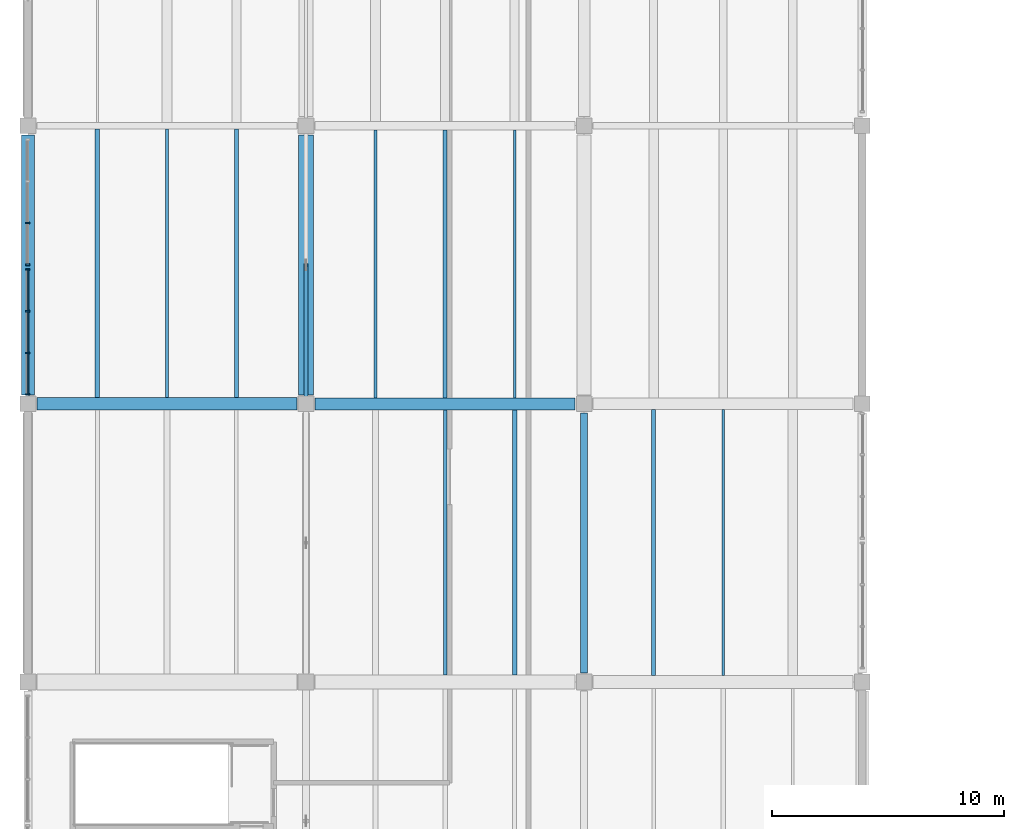
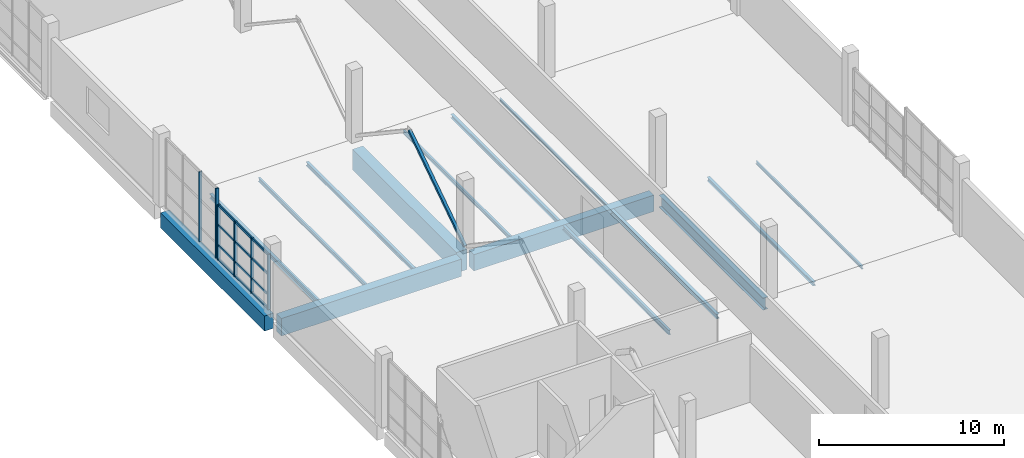
# One storey, part 9 of 49: 15 beams, 11 members, 2 elements without a shape of their own.
"""IFC4 building model written with IfcOpenShell, lengths in metres."""

from ifc_helpers import new_model, si_unit, direction, frame, origin, origin_2d, place, context, subcontext, project, spatial, rectangle, hollow_rectangle, i_section, extrude, material, material_profile, profile_set, type_object, element, aggregate, save


model = new_model("IFC4")

# Units and contexts
model_context = context("Model", 3, precision=1e-05, world=origin(), true_north=direction((0.0, 1.0)))
body_context = subcontext(model_context, "Body", "Model", "MODEL_VIEW")
ifc_project = project(units=[si_unit("LENGTHUNIT", "METRE"), si_unit("AREAUNIT", "SQUARE_METRE"), si_unit("VOLUMEUNIT", "CUBIC_METRE"), si_unit("PLANEANGLEUNIT", "RADIAN"), si_unit("MASSUNIT", "GRAM", prefix="KILO")], contexts=[model_context])

# Site, building, storey
site_placement = place(None, origin())
site = spatial("IfcSite", under=ifc_project, at=site_placement, CompositionType="ELEMENT")
building_placement = place(site_placement, origin())
building = spatial("IfcBuilding", under=site, at=building_placement, Name="Kamomehara Wholesale Market", CompositionType="ELEMENT")
storey_placement = place(building_placement, frame((0.0, 0.0, 11.39990234375)))
storey = spatial("IfcBuildingStorey", under=building, at=storey_placement, Name="L02", CompositionType="ELEMENT", Elevation=11.39990234375)

# Beams
ifc_material_1 = material(Name="Precast concrete Fc45 (C40/50)", Category="concrete")
ifc_material_profile_1 = material_profile(ifc_material_1, rectangle(XDim=0.52001953125, YDim=1.080078125, at=origin_2d()), Name="PC-GRD-520x1080")
ifc_profile_set_1 = profile_set([ifc_material_profile_1], Name="Precast concrete Fc45 (C40/50)")
beam_type_1 = type_object("IfcBeamType", Name="BM-PG1080", PredefinedType="T_BEAM", material=ifc_profile_set_1)
beam_1_placement = place(storey_placement, frame((12.389892578125, 84.0, -0.8818359375), z_axis=(1.0, 0.0, 0.0), x_axis=(0.0, 1.0, 0.0)))
element("IfcBeam", 1, at=beam_1_placement, inside=storey, type_object=beam_type_1, Name="Beam PG-15 L02", PredefinedType="T_BEAM", context=body_context, shape_type="SweptSolid", body=[
    extrude(rectangle(XDim=0.52001953125, YDim=1.080078125, at=origin_2d()), origin(), (0.0, 0.0, 1.0), 11.22021484375),
])
ifc_material_2 = material(Name="Precast concrete Fc45 (C40/50)", Category="concrete")
ifc_material_profile_2 = material_profile(ifc_material_2, rectangle(XDim=0.550048828125, YDim=1.14990234375, at=origin_2d()), Name="PC-GRD-550x1150")
ifc_profile_set_2 = profile_set([ifc_material_profile_2], Name="Precast concrete Fc45 (C40/50)")
beam_type_2 = type_object("IfcBeamType", Name="BM-PG1150", PredefinedType="T_BEAM", material=ifc_profile_set_2)
beam_2_placement = place(storey_placement, frame((0.389892578125, 84.0, -0.9169921875), z_axis=(1.0, 0.0, 0.0), x_axis=(0.0, 1.0, 0.0)))
element("IfcBeam", 2, at=beam_2_placement, inside=storey, type_object=beam_type_2, Name="Beam PG-06 L02", PredefinedType="T_BEAM", context=body_context, shape_type="SweptSolid", body=[
    extrude(rectangle(XDim=0.550048828125, YDim=1.14990234375, at=origin_2d()), origin(), (0.0, 0.0, 1.0), 11.22021484375),
])
ifc_material_3 = material(Name="Precast concrete Fc45 (C40/50)", Category="concrete")
ifc_material_profile_3 = material_profile(ifc_material_3, rectangle(XDim=0.64990234375, YDim=1.35009765625, at=origin_2d()), Name="PC-GRD-650x1350")
ifc_profile_set_3 = profile_set([ifc_material_profile_3], Name="Precast concrete Fc45 (C40/50)")
beam_type_3 = type_object("IfcBeamType", Name="BM-PG1350", PredefinedType="T_BEAM", material=ifc_profile_set_3)
beam_3_placement = place(storey_placement, frame((12.0, 84.389892578125, -1.016845703125), z_axis=(0.0, 1.0, 0.0), x_axis=(-1.0, 0.0, 0.0)))
element("IfcBeam", 3, at=beam_3_placement, inside=storey, type_object=beam_type_3, Name="Beam PG-03 L02", PredefinedType="T_BEAM", context=body_context, shape_type="SweptSolid", body=[
    extrude(rectangle(XDim=0.64990234375, YDim=1.35009765625, at=origin_2d()), origin(), (0.0, 0.0, 1.0), 11.22021484375),
])
ifc_material_4 = material(Name="Concrete Fc36 (C35/45)", Category="concrete")
ifc_material_profile_4 = material_profile(ifc_material_4, rectangle(XDim=0.550048828125, YDim=1.0, at=origin_2d()), Name="RC-SEB-550x1000")
ifc_profile_set_4 = profile_set([ifc_material_profile_4], Name="Concrete Fc36 (C35/45)")
beam_type_4 = type_object("IfcBeamType", Name="BM-SEB1000-EXT", PredefinedType="SPANDREL", material=ifc_profile_set_4)
beam_4_placement = place(storey_placement, frame((0.0, 84.389892578125, -0.841796875), z_axis=(0.0, 1.0, 0.0), x_axis=(-1.0, 0.0, 0.0)))
element("IfcBeam", 4, at=beam_4_placement, inside=storey, type_object=beam_type_4, Name="Beam SEB-03E L02", PredefinedType="SPANDREL", context=body_context, shape_type="SweptSolid", body=[
    extrude(rectangle(XDim=0.550048828125, YDim=1.0, at=origin_2d()), origin(), (0.0, 0.0, 1.0), 11.22021484375),
])
ifc_material_5 = material(Name="Steel SN400B", Category="steel")
ifc_material_profile_5 = material_profile(ifc_material_5, i_section(OverallWidth=0.10009765625, OverallDepth=0.199951171875, WebThickness=0.005615234375, FlangeThickness=0.008056640625, FilletRadius=0.008056640625, at=origin_2d()), Name="H-200x100x5.5x8")
ifc_profile_set_5 = profile_set([ifc_material_profile_5], Name="Steel SN400B")
beam_type_5 = type_object("IfcBeamType", Name="BM-ST-H200", PredefinedType="LINTEL", material=ifc_profile_set_5)
beam_5_placement = place(storey_placement, frame((21.0, 84.260009765625, -0.44189453125), z_axis=(0.0, 1.0, 0.0), x_axis=(-1.0, 0.0, 0.0)))
element("IfcBeam", 5, at=beam_5_placement, inside=storey, type_object=beam_type_5, Name="Beam SJ-07 L02", PredefinedType="LINTEL", context=body_context, shape_type="SweptSolid", body=[
    extrude(i_section(OverallWidth=0.10009765625, OverallDepth=0.199951171875, WebThickness=0.005615234375, FlangeThickness=0.008056640625, FilletRadius=0.008056640625, at=origin_2d()), origin(), (0.0, 0.0, 1.0), 11.56494140625),
])
beam_6_placement = place(storey_placement, frame((30.0, 72.2900390625, -0.411865234375), z_axis=(0.0, 1.0, 0.0), x_axis=(-1.0, 0.0, 0.0)))
element("IfcBeam", 6, at=beam_6_placement, inside=storey, type_object=beam_type_5, Name="Beam SJ-07 L02", PredefinedType="LINTEL", context=body_context, shape_type="SweptSolid", body=[
    extrude(i_section(OverallWidth=0.10009765625, OverallDepth=0.199951171875, WebThickness=0.005615234375, FlangeThickness=0.008056640625, FilletRadius=0.008056640625, at=origin_2d()), origin(), (0.0, 0.0, 1.0), 11.4599609375),
])
ifc_material_6 = material(Name="Steel SN400B", Category="steel")
ifc_material_profile_6 = material_profile(ifc_material_6, i_section(OverallWidth=0.175048828125, OverallDepth=0.243896484375, WebThickness=0.007080078125, FlangeThickness=0.010986328125, FilletRadius=0.010986328125, at=origin_2d()), Name="H-244x175x7x11")
ifc_profile_set_6 = profile_set([ifc_material_profile_6], Name="Steel SN400B")
beam_type_6 = type_object("IfcBeamType", Name="BM-ST-H244", PredefinedType="JOIST", material=ifc_profile_set_6)
beam_7_placement = place(storey_placement, frame((9.0, 84.27490234375, -0.4638671875), z_axis=(0.0, 1.0, 0.0), x_axis=(-1.0, 0.0, 0.0)))
element("IfcBeam", 7, at=beam_7_placement, inside=storey, type_object=beam_type_6, Name="Beam SJ-10 L02", PredefinedType="JOIST", context=body_context, shape_type="SweptSolid", body=[
    extrude(i_section(OverallWidth=0.175048828125, OverallDepth=0.243896484375, WebThickness=0.007080078125, FlangeThickness=0.010986328125, FilletRadius=0.010986328125, at=origin_2d()), origin(), (0.0, 0.0, 1.0), 11.5751953125),
])
beam_8_placement = place(storey_placement, frame((18.0, 84.260009765625, -0.4638671875), z_axis=(0.0, 1.0, 0.0), x_axis=(-1.0, 0.0, 0.0)))
element("IfcBeam", 8, at=beam_8_placement, inside=storey, type_object=beam_type_6, Name="Beam SJ-10 L02", PredefinedType="JOIST", context=body_context, shape_type="SweptSolid", body=[
    extrude(i_section(OverallWidth=0.175048828125, OverallDepth=0.243896484375, WebThickness=0.007080078125, FlangeThickness=0.010986328125, FilletRadius=0.010986328125, at=origin_2d()), origin(), (0.0, 0.0, 1.0), 11.56494140625),
])
beam_9_placement = place(storey_placement, frame((27.0, 72.2900390625, -0.433837890625), z_axis=(0.0, 1.0, 0.0), x_axis=(-1.0, 0.0, 0.0)))
element("IfcBeam", 9, at=beam_9_placement, inside=storey, type_object=beam_type_6, Name="Beam SJ-10 L02", PredefinedType="JOIST", context=body_context, shape_type="SweptSolid", body=[
    extrude(i_section(OverallWidth=0.175048828125, OverallDepth=0.243896484375, WebThickness=0.007080078125, FlangeThickness=0.010986328125, FilletRadius=0.010986328125, at=origin_2d()), origin(), (0.0, 0.0, 1.0), 11.4599609375),
])
ifc_material_7 = material(Name="Steel SN400B", Category="steel")
ifc_material_profile_7 = material_profile(ifc_material_7, i_section(OverallWidth=0.125, OverallDepth=0.25, WebThickness=0.006103515625, FlangeThickness=0.009033203125, FilletRadius=0.008056640625, at=origin_2d()), Name="H-250x125x6x9")
ifc_profile_set_7 = profile_set([ifc_material_profile_7], Name="Steel SN400B")
beam_type_7 = type_object("IfcBeamType", Name="BM-ST-H250", PredefinedType="JOIST", material=ifc_profile_set_7)
beam_10_placement = place(storey_placement, frame((6.0, 84.27490234375, -0.466796875), z_axis=(0.0, 1.0, 0.0), x_axis=(-1.0, 0.0, 0.0)))
element("IfcBeam", 10, at=beam_10_placement, inside=storey, type_object=beam_type_7, Name="Beam SJ-06 L02", PredefinedType="JOIST", context=body_context, shape_type="SweptSolid", body=[
    extrude(i_section(OverallWidth=0.125, OverallDepth=0.25, WebThickness=0.006103515625, FlangeThickness=0.009033203125, FilletRadius=0.008056640625, at=origin_2d()), origin(), (0.0, 0.0, 1.0), 11.5751953125),
])
beam_11_placement = place(storey_placement, frame((15.0, 84.260009765625, -0.466796875), z_axis=(0.0, 1.0, 0.0), x_axis=(-1.0, 0.0, 0.0)))
element("IfcBeam", 11, at=beam_11_placement, inside=storey, type_object=beam_type_7, Name="Beam SJ-06 L02", PredefinedType="JOIST", context=body_context, shape_type="SweptSolid", body=[
    extrude(i_section(OverallWidth=0.125, OverallDepth=0.25, WebThickness=0.006103515625, FlangeThickness=0.009033203125, FilletRadius=0.008056640625, at=origin_2d()), origin(), (0.0, 0.0, 1.0), 11.56494140625),
])
ifc_material_8 = material(Name="Steel SN400B", Category="steel")
ifc_material_profile_8 = material_profile(ifc_material_8, i_section(OverallWidth=0.199951171875, OverallDepth=0.2939453125, WebThickness=0.008056640625, FlangeThickness=0.011962890625, FilletRadius=0.012939453125, at=origin_2d()), Name="H-294x200x8x12")
ifc_profile_set_8 = profile_set([ifc_material_profile_8], Name="Steel SN400B")
beam_type_8 = type_object("IfcBeamType", Name="BM-ST-H294", PredefinedType="JOIST", material=ifc_profile_set_8)
beam_12_placement = place(storey_placement, frame((3.0, 84.27490234375, -0.489013671875), z_axis=(0.0, 1.0, 0.0), x_axis=(-1.0, 0.0, 0.0)))
element("IfcBeam", 12, at=beam_12_placement, inside=storey, type_object=beam_type_8, Name="Beam SJ-09 L02", PredefinedType="JOIST", context=body_context, shape_type="SweptSolid", body=[
    extrude(i_section(OverallWidth=0.199951171875, OverallDepth=0.2939453125, WebThickness=0.008056640625, FlangeThickness=0.011962890625, FilletRadius=0.012939453125, at=origin_2d()), origin(), (0.0, 0.0, 1.0), 11.5751953125),
])
beam_13_placement = place(storey_placement, frame((21.0, 72.31005859375, -0.489013671875), z_axis=(0.0, 1.0, 0.0), x_axis=(-1.0, 0.0, 0.0)))
element("IfcBeam", 13, at=beam_13_placement, inside=storey, type_object=beam_type_8, Name="Beam SJ-09 L02", PredefinedType="JOIST", context=body_context, shape_type="SweptSolid", body=[
    extrude(i_section(OverallWidth=0.199951171875, OverallDepth=0.2939453125, WebThickness=0.008056640625, FlangeThickness=0.011962890625, FilletRadius=0.012939453125, at=origin_2d()), origin(), (0.0, 0.0, 1.0), 11.429931640625),
])
ifc_material_9 = material(Name="Steel SN400B", Category="steel")
ifc_material_profile_9 = material_profile(ifc_material_9, i_section(OverallWidth=0.14990234375, OverallDepth=0.300048828125, WebThickness=0.006591796875, FlangeThickness=0.009033203125, FilletRadius=0.012939453125, at=origin_2d()), Name="H-300x150x6.5x9")
ifc_profile_set_9 = profile_set([ifc_material_profile_9], Name="Steel SN400B")
beam_type_9 = type_object("IfcBeamType", Name="BM-ST-H300", PredefinedType="JOIST", material=ifc_profile_set_9)
beam_14_placement = place(storey_placement, frame((18.0, 72.31005859375, -0.491943359375), z_axis=(0.0, 1.0, 0.0), x_axis=(-1.0, 0.0, 0.0)))
element("IfcBeam", 14, at=beam_14_placement, inside=storey, type_object=beam_type_9, Name="Beam SJ-05 L02", PredefinedType="JOIST", context=body_context, shape_type="SweptSolid", body=[
    extrude(i_section(OverallWidth=0.14990234375, OverallDepth=0.300048828125, WebThickness=0.006591796875, FlangeThickness=0.009033203125, FilletRadius=0.012939453125, at=origin_2d()), origin(), (0.0, 0.0, 1.0), 11.429931640625),
])
ifc_material_10 = material(Name="Steel SN490B", Category="steel")
ifc_material_profile_10 = material_profile(ifc_material_10, i_section(OverallWidth=0.300048828125, OverallDepth=0.7919921875, WebThickness=0.013916015625, FlangeThickness=0.02197265625, FilletRadius=0.02392578125, at=origin_2d()), Name="H-792x300x14x22")
ifc_profile_set_10 = profile_set([ifc_material_profile_10], Name="Steel SN490B")
beam_type_10 = type_object("IfcBeamType", Name="BM-ST-H792", PredefinedType="BEAM", material=ifc_profile_set_10)
beam_15_placement = place(storey_placement, frame((24.0, 72.389892578125, -0.73779296875), z_axis=(0.0, 1.0, 0.0), x_axis=(-1.0, 0.0, 0.0)))
element("IfcBeam", 15, at=beam_15_placement, inside=storey, type_object=beam_type_10, Name="Beam SG-09 L02", PredefinedType="BEAM", context=body_context, shape_type="SweptSolid", body=[
    extrude(i_section(OverallWidth=0.300048828125, OverallDepth=0.7919921875, WebThickness=0.013916015625, FlangeThickness=0.02197265625, FilletRadius=0.02392578125, at=origin_2d()), origin(), (0.0, 0.0, 1.0), 11.22021484375),
])

# Curtain wall, members
ifc_material_11 = material(Name="Anodised aluminium 6063-T5", Category="aluminium")
curtain_wall_type = type_object("IfcCurtainWallType", Name="CW-UN-10", PredefinedType="NOTDEFINED", material=ifc_material_11)
curtain_wall_1_placement = place(storey_placement, origin())
curtain_wall_1 = element("IfcCurtainWall", 16, at=curtain_wall_1_placement, inside=storey, type_object=curtain_wall_type, Name="Unitised curtain wall CW-003", PredefinedType="NOTDEFINED")
ifc_material_12 = material(Name="Anodised aluminium 6063-T5", Category="aluminium")
ifc_material_profile_11 = material_profile(ifc_material_12, rectangle(XDim=0.074951171875, YDim=0.179931640625, at=origin_2d()), Name="ALU-MUL-75x180")
ifc_profile_set_11 = profile_set([ifc_material_profile_11], Name="Anodised aluminium 6063-T5")
member_type_1 = type_object("IfcMemberType", Name="CW-MUL-180", PredefinedType="MULLION", material=ifc_profile_set_11)
member_1_placement = place(storey_placement, frame((0.0, 84.39990234375, 0.0), z_axis=(0.0, 0.0, 1.0), x_axis=(0.0, 1.0, 0.0)))
member_1 = element("IfcMember", 17, at=member_1_placement, type_object=member_type_1, Name="Mullion CW-003.0", PredefinedType="MULLION", context=body_context, shape_type="SweptSolid", body=[
    extrude(rectangle(XDim=0.074951171875, YDim=0.179931640625, at=origin_2d()), origin(), (0.0, 0.0, 1.0), 3.630126953125),
])
member_2_placement = place(storey_placement, frame((0.0, 86.199951171875, 0.0), z_axis=(0.0, 0.0, 1.0), x_axis=(0.0, 1.0, 0.0)))
member_2 = element("IfcMember", 18, at=member_2_placement, type_object=member_type_1, Name="Mullion CW-003.1", PredefinedType="MULLION", context=body_context, shape_type="SweptSolid", body=[
    extrude(rectangle(XDim=0.074951171875, YDim=0.179931640625, at=origin_2d()), origin(), (0.0, 0.0, 1.0), 3.630126953125),
])
member_3_placement = place(storey_placement, frame((0.0, 88.0, 0.0), z_axis=(0.0, 0.0, 1.0), x_axis=(0.0, 1.0, 0.0)))
member_3 = element("IfcMember", 19, at=member_3_placement, type_object=member_type_1, Name="Mullion CW-003.2", PredefinedType="MULLION", context=body_context, shape_type="SweptSolid", body=[
    extrude(rectangle(XDim=0.074951171875, YDim=0.179931640625, at=origin_2d()), origin(), (0.0, 0.0, 1.0), 3.630126953125),
])
member_4_placement = place(storey_placement, frame((0.0, 89.800048828125, 0.0), z_axis=(0.0, 0.0, 1.0), x_axis=(0.0, 1.0, 0.0)))
member_4 = element("IfcMember", 20, at=member_4_placement, type_object=member_type_1, Name="Mullion CW-003.3", PredefinedType="MULLION", context=body_context, shape_type="SweptSolid", body=[
    extrude(rectangle(XDim=0.074951171875, YDim=0.179931640625, at=origin_2d()), origin(), (0.0, 0.0, 1.0), 3.630126953125),
])

curtain_wall_2_placement = place(storey_placement, origin())
curtain_wall_2 = element("IfcCurtainWall", 21, at=curtain_wall_2_placement, inside=storey, type_object=curtain_wall_type, Name="Unitised curtain wall CW-004", PredefinedType="NOTDEFINED")
member_5_placement = place(storey_placement, frame((0.0, 90.0, 0.0), z_axis=(0.0, 0.0, 1.0), x_axis=(0.0, 1.0, 0.0)))
member_5 = element("IfcMember", 22, at=member_5_placement, type_object=member_type_1, Name="Mullion CW-004.0", PredefinedType="MULLION", context=body_context, shape_type="SweptSolid", body=[
    extrude(rectangle(XDim=0.074951171875, YDim=0.179931640625, at=origin_2d()), origin(), (0.0, 0.0, 1.0), 4.60009765625),
])
member_6_placement = place(storey_placement, frame((0.0, 91.800048828125, 0.0), z_axis=(0.0, 0.0, 1.0), x_axis=(0.0, 1.0, 0.0)))
member_6 = element("IfcMember", 23, at=member_6_placement, type_object=member_type_1, Name="Mullion CW-004.1", PredefinedType="MULLION", context=body_context, shape_type="SweptSolid", body=[
    extrude(rectangle(XDim=0.074951171875, YDim=0.179931640625, at=origin_2d()), origin(), (0.0, 0.0, 1.0), 4.60009765625),
])
aggregate(curtain_wall_2, [member_5, member_6])

# Member
ifc_material_13 = material(Name="Anodised aluminium 6063-T5", Category="aluminium")
ifc_material_profile_12 = material_profile(ifc_material_13, rectangle(XDim=0.074951171875, YDim=0.14990234375, at=origin_2d()), Name="ALU-TRN-75x150")
ifc_profile_set_12 = profile_set([ifc_material_profile_12], Name="Anodised aluminium 6063-T5")
member_type_2 = type_object("IfcMemberType", Name="CW-TRN-150", PredefinedType="USERDEFINED", material=ifc_profile_set_12)
member_7_placement = place(storey_placement, frame((0.0, 84.39990234375, 0.0400390625), z_axis=(0.0, 1.0, 0.0), x_axis=(-1.0, 0.0, 0.0)))
member_7 = element("IfcMember", 24, at=member_7_placement, type_object=member_type_2, Name="Transom CW-003.0", ObjectType="TRANSOM", PredefinedType="USERDEFINED", context=body_context, shape_type="SweptSolid", body=[
    extrude(rectangle(XDim=0.074951171875, YDim=0.14990234375, at=origin_2d()), origin(), (0.0, 0.0, 1.0), 5.400146484375),
])

member_8_placement = place(storey_placement, frame((0.0, 84.39990234375, 0.9501953125), z_axis=(0.0, 1.0, 0.0), x_axis=(-1.0, 0.0, 0.0)))
member_8 = element("IfcMember", 25, at=member_8_placement, type_object=member_type_2, Name="Transom CW-003.1", ObjectType="TRANSOM", PredefinedType="USERDEFINED", context=body_context, shape_type="SweptSolid", body=[
    extrude(rectangle(XDim=0.074951171875, YDim=0.14990234375, at=origin_2d()), origin(), (0.0, 0.0, 1.0), 5.400146484375),
])

member_9_placement = place(storey_placement, frame((0.0, 84.39990234375, 2.2900390625), z_axis=(0.0, 1.0, 0.0), x_axis=(-1.0, 0.0, 0.0)))
member_9 = element("IfcMember", 26, at=member_9_placement, type_object=member_type_2, Name="Transom CW-003.2", ObjectType="TRANSOM", PredefinedType="USERDEFINED", context=body_context, shape_type="SweptSolid", body=[
    extrude(rectangle(XDim=0.074951171875, YDim=0.14990234375, at=origin_2d()), origin(), (0.0, 0.0, 1.0), 5.400146484375),
])

member_10_placement = place(storey_placement, frame((0.0, 84.39990234375, 3.590087890625), z_axis=(0.0, 1.0, 0.0), x_axis=(-1.0, 0.0, 0.0)))
member_10 = element("IfcMember", 27, at=member_10_placement, type_object=member_type_2, Name="Transom CW-003.3", ObjectType="TRANSOM", PredefinedType="USERDEFINED", context=body_context, shape_type="SweptSolid", body=[
    extrude(rectangle(XDim=0.074951171875, YDim=0.14990234375, at=origin_2d()), origin(), (0.0, 0.0, 1.0), 5.400146484375),
])

aggregate(curtain_wall_1, [member_1, member_2, member_3, member_4, member_7, member_8, member_9, member_10])

ifc_material_14 = material(Name="Steel SN490B", Category="steel")
ifc_material_profile_13 = material_profile(ifc_material_14, hollow_rectangle(XDim=0.175048828125, YDim=0.175048828125, WallThickness=0.009033203125, at=origin_2d()), Name="RHS-175x175x9")
ifc_profile_set_13 = profile_set([ifc_material_profile_13], Name="Steel SN490B")
member_type_3 = type_object("IfcMemberType", Name="MEM-BR-RHS175", PredefinedType="BRACE", material=ifc_profile_set_13)
member_11_placement = place(storey_placement, frame((12.0, 84.0, 0.2001953125), z_axis=(0.0, 0.832050294338, 0.554700196225), x_axis=(-1.0, 0.0, 0.0)))
element("IfcMember", 28, at=member_11_placement, inside=storey, type_object=member_type_3, Name="Lateral frame brace V3 84A", PredefinedType="BRACE", context=body_context, shape_type="SweptSolid", body=[
    extrude(hollow_rectangle(XDim=0.175048828125, YDim=0.175048828125, WallThickness=0.009033203125, at=origin_2d()), origin(), (0.0, 0.0, 1.0), 7.211181640625),
])

save(model, "model.ifc")
